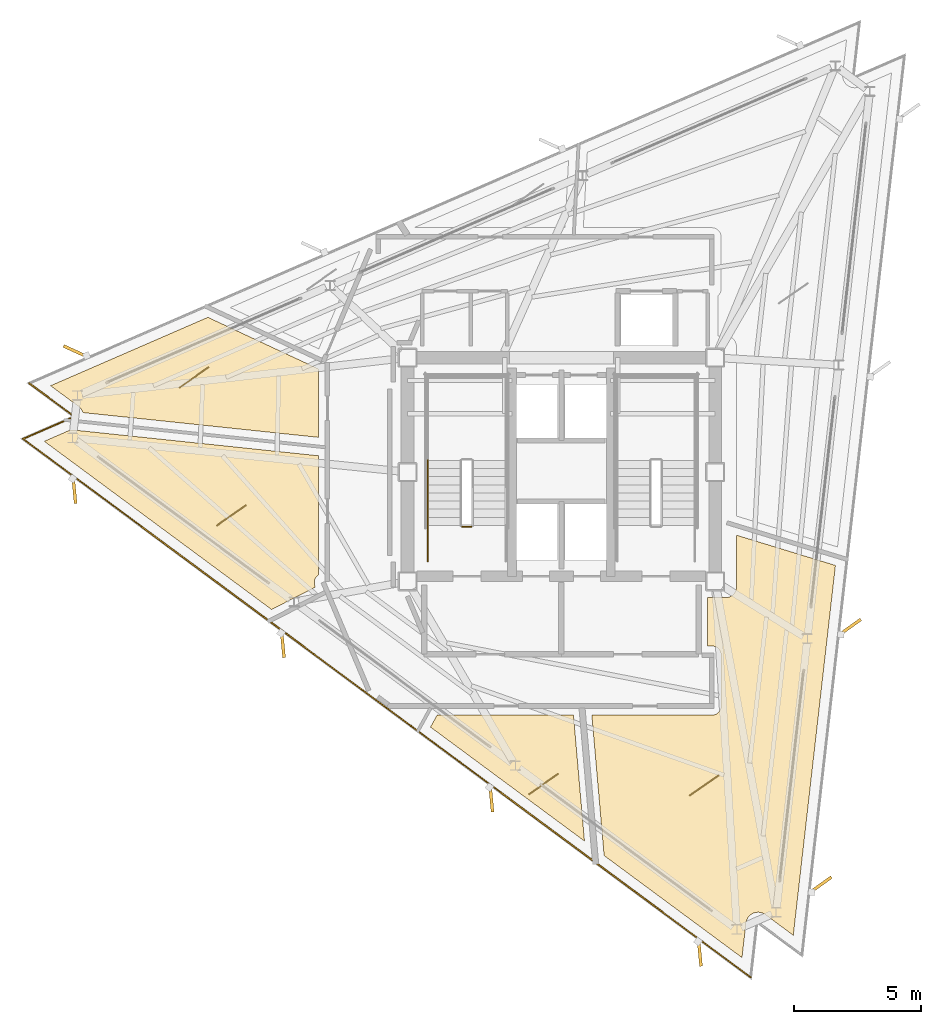
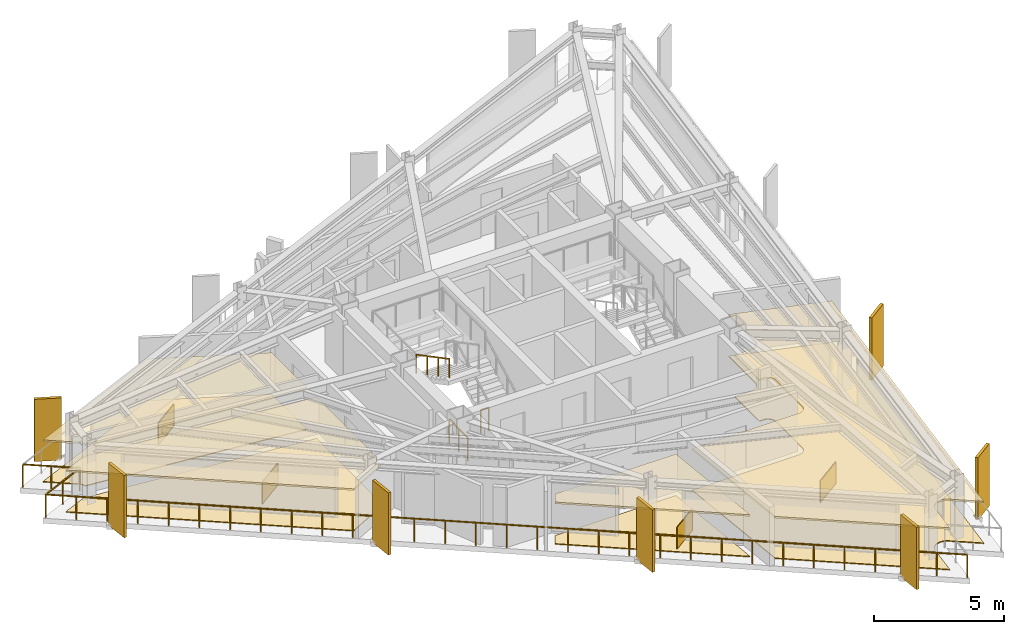
# One storey, part 8 of 10: 12 coverings, 7 shading devices, 4 railings.
"""IFC4 building model written with IfcOpenShell, lengths in metres."""

from ifc_helpers import new_model, si_unit, direction, frame, origin, origin_2d, place, context, subcontext, project, spatial, polyline, rectangle, outline, extrude, material, layer, layer_set, type_object, element, save


model = new_model("IFC4")

# Units and contexts
model_context = context("Model", 3, precision=1e-05, world=origin(), true_north=direction((0.0, 1.0)))
body_context = subcontext(model_context, "Body", "Model", "MODEL_VIEW")
ifc_project = project(units=[si_unit("LENGTHUNIT", "METRE"), si_unit("AREAUNIT", "SQUARE_METRE"), si_unit("VOLUMEUNIT", "CUBIC_METRE"), si_unit("PLANEANGLEUNIT", "RADIAN"), si_unit("MASSUNIT", "GRAM", prefix="KILO")], contexts=[model_context])

# Site, building, storey
site_placement = place(None, origin())
site = spatial("IfcSite", under=ifc_project, at=site_placement, CompositionType="ELEMENT")
building_placement = place(site_placement, origin())
building = spatial("IfcBuilding", under=site, at=building_placement, Name="Rocaltana Carrier Exchange", CompositionType="ELEMENT")
storey_placement = place(building_placement, frame((0.0, 0.0, 224.0)))
storey = spatial("IfcBuildingStorey", under=building, at=storey_placement, Name="L71", CompositionType="ELEMENT", Elevation=224.0)

# Coverings
ifc_material_1 = material(Name="Honed Bogota Sandstone Tile", Category="masonry")
ifc_layer_1 = layer(ifc_material_1, 0.0400390625)
ifc_layer_set_1 = layer_set([ifc_layer_1], Name="Honed Bogota Sandstone Tile")
covering_type_1 = type_object("IfcCoveringType", Name="Honed Stone Lobby Flooring 40", PredefinedType="FLOORING", material=ifc_layer_set_1)
covering_1_placement = place(storey_placement, origin())
element("IfcCovering", 1, at=covering_1_placement, inside=storey, type_object=covering_type_1, Name="L71 Client Reception Foyer Finish Floor", PredefinedType="FLOORING", context=body_context, shape_type="SweptSolid", body=[
    extrude(outline(polyline([(-19.29052734375, 1.66552734375), (-9.56005859375, 0.642822265625), (-9.56005859375, -4.052001953125), (-9.57177734375, -4.06005859375), (-9.578125, -4.064697265625), (-9.59912109375, -4.082275390625), (-9.60498046875, -4.087646484375), (-9.624267578125, -4.107177734375), (-9.629638671875, -4.113037109375), (-9.64697265625, -4.134521484375), (-9.651611328125, -4.140625), (-9.666748046875, -4.16357421875), (-9.670654296875, -4.17041015625), (-9.68359375, -4.194580078125), (-9.686767578125, -4.201904296875), (-9.697265625, -4.227294921875), (-9.69970703125, -4.234619140625), (-9.70751953125, -4.260986328125), (-9.70947265625, -4.2685546875), (-9.714599609375, -4.295654296875), (-9.7158203125, -4.30322265625), (-9.718505859375, -4.330810546875), (-9.71875, -4.33837890625), (-9.718505859375, -4.365966796875), (-9.71826171875, -4.373779296875), (-9.71533203125, -4.401123046875), (-9.714111328125, -4.408935546875), (-9.70849609375, -4.435791015625), (-9.706787109375, -4.443603515625), (-9.698486328125, -4.4697265625), (-9.69580078125, -4.47705078125), (-9.69091796875, -4.489990234375), (-9.67578125, -4.52587890625), (-11.3994140625, -5.404296875), (-20.337890625, 1.210205078125), (-19.29052734375, 1.66552734375)])), origin(), (0.0, 0.0, 1.0), 0.0400390625),
])
covering_2_placement = place(storey_placement, origin())
element("IfcCovering", 2, at=covering_2_placement, inside=storey, type_object=covering_type_1, Name="L71 Staff Break Pantry Finish Floor", PredefinedType="FLOORING", context=body_context, shape_type="SweptSolid", body=[
    extrude(outline(polyline([(0.47509765625, -9.56005859375), (0.908203125, -14.51123046875), (-5.14794921875, -10.02978515625), (-4.8876953125, -9.56005859375), (0.47509765625, -9.56005859375)])), origin(), (0.0, 0.0, 1.0), 0.0400390625),
])
covering_3_placement = place(storey_placement, origin())
element("IfcCovering", 3, at=covering_3_placement, inside=storey, type_object=covering_type_1, Name="L71 Client Reception Foyer Finish Floor", PredefinedType="FLOORING", context=body_context, shape_type="SweptSolid", body=[
    extrude(outline(polyline([(5.739990234375, -6.840087890625), (5.739990234375, -4.93994140625), (6.449951171875, -4.93994140625), (6.463623046875, -4.939697265625), (6.4794921875, -4.93896484375), (6.5068359375, -4.936279296875), (6.522216796875, -4.933837890625), (6.54931640625, -4.928466796875), (6.564453125, -4.9248046875), (6.5908203125, -4.916748046875), (6.605712890625, -4.91162109375), (6.630859375, -4.90087890625), (6.64501953125, -4.894287109375), (6.66943359375, -4.88134765625), (6.682861328125, -4.873291015625), (6.705810546875, -4.85791015625), (6.71826171875, -4.8486328125), (6.739501953125, -4.8310546875), (6.751220703125, -4.820556640625), (6.7705078125, -4.80126953125), (6.781005859375, -4.78955078125), (6.798583984375, -4.768310546875), (6.807861328125, -4.755615234375), (6.8232421875, -4.73291015625), (6.831298828125, -4.719482421875), (6.84423828125, -4.695068359375), (6.850830078125, -4.680908203125), (6.861572265625, -4.655517578125), (6.86669921875, -4.640869140625), (6.874755859375, -4.614501953125), (6.87841796875, -4.59912109375), (6.8837890625, -4.572265625), (6.88623046875, -4.556884765625), (6.888916015625, -4.529296875), (6.8896484375, -4.513671875), (6.889892578125, -4.5), (6.889892578125, -2.48291015625), (10.7783203125, -3.671630859375), (9.12109375, -18.21826171875), (8.020751953125, -17.404052734375), (8.009521484375, -17.39599609375), (7.992919921875, -17.385009765625), (7.96875, -17.370849609375), (7.951171875, -17.361572265625), (7.92578125, -17.349609375), (7.907470703125, -17.342041015625), (7.881103515625, -17.332763671875), (7.862060546875, -17.3271484375), (7.8349609375, -17.320556640625), (7.815185546875, -17.31689453125), (7.78759765625, -17.31298828125), (7.767822265625, -17.311279296875), (7.739990234375, -17.310302734375), (7.719970703125, -17.310302734375), (7.692138671875, -17.31201171875), (7.67236328125, -17.314208984375), (7.644775390625, -17.31884765625), (7.625244140625, -17.322998046875), (7.59814453125, -17.330078125), (7.579345703125, -17.336181640625), (7.552978515625, -17.34619140625), (7.534912109375, -17.35400390625), (7.509765625, -17.366455078125), (7.492431640625, -17.376220703125), (7.46875, -17.39111328125), (7.452392578125, -17.40234375), (7.430419921875, -17.41943359375), (7.415283203125, -17.4326171875), (7.39501953125, -17.45166015625), (7.381103515625, -17.466064453125), (7.363037109375, -17.4873046875), (7.3505859375, -17.5029296875), (7.334716796875, -17.52587890625), (7.32421875, -17.542724609375), (7.310302734375, -17.56689453125), (7.301513671875, -17.5849609375), (7.290283203125, -17.6103515625), (7.283203125, -17.629150390625), (7.274658203125, -17.655517578125), (7.26953125, -17.6748046875), (7.263671875, -17.7021484375), (7.26025390625, -17.7216796875), (7.25830078125, -17.735595703125), (7.103515625, -19.095458984375), (1.680908203125, -15.0830078125), (1.19775390625, -9.56005859375), (5.919921875, -9.56005859375), (5.93359375, -9.559814453125), (5.941650390625, -9.559326171875), (5.968994140625, -9.556640625), (5.976806640625, -9.555419921875), (6.003662109375, -9.550048828125), (6.01123046875, -9.548095703125), (6.03759765625, -9.540283203125), (6.044921875, -9.53759765625), (6.0703125, -9.527099609375), (6.077392578125, -9.523681640625), (6.101806640625, -9.5107421875), (6.1083984375, -9.506591796875), (6.131103515625, -9.491455078125), (6.137451171875, -9.48681640625), (6.15869140625, -9.46923828125), (6.16455078125, -9.464111328125), (6.18408203125, -9.444580078125), (6.189208984375, -9.438720703125), (6.206787109375, -9.41748046875), (6.21142578125, -9.4111328125), (6.226806640625, -9.388427734375), (6.230712890625, -9.381591796875), (6.24365234375, -9.357421875), (6.2470703125, -9.350341796875), (6.257568359375, -9.324951171875), (6.26025390625, -9.317626953125), (6.268310546875, -9.291259765625), (6.27001953125, -9.28369140625), (6.275390625, -9.256591796875), (6.276611328125, -9.248779296875), (6.279296875, -9.2216796875), (6.27978515625, -9.213623046875), (6.280029296875, -9.199951171875), (6.280029296875, -7.199951171875), (6.27978515625, -7.186279296875), (6.279296875, -7.178466796875), (6.276611328125, -7.151123046875), (6.275390625, -7.143310546875), (6.27001953125, -7.116455078125), (6.268310546875, -7.108642578125), (6.26025390625, -7.08251953125), (6.257568359375, -7.0751953125), (6.2470703125, -7.0498046875), (6.24365234375, -7.04248046875), (6.230712890625, -7.018310546875), (6.226806640625, -7.01171875), (6.21142578125, -6.98876953125), (6.206787109375, -6.982421875), (6.189208984375, -6.961181640625), (6.18408203125, -6.955322265625), (6.16455078125, -6.93603515625), (6.15869140625, -6.9306640625), (6.137451171875, -6.913330078125), (6.131103515625, -6.90869140625), (6.1083984375, -6.893310546875), (6.101806640625, -6.889404296875), (6.077392578125, -6.876220703125), (6.0703125, -6.873046875), (6.044921875, -6.862548828125), (6.03759765625, -6.85986328125), (6.01123046875, -6.851806640625), (6.003662109375, -6.849853515625), (5.976806640625, -6.844482421875), (5.968994140625, -6.843505859375), (5.941650390625, -6.8408203125), (5.93359375, -6.84033203125), (5.919921875, -6.840087890625), (5.739990234375, -6.840087890625)])), origin(), (0.0, 0.0, 1.0), 0.0400390625),
])
covering_4_placement = place(storey_placement, origin())
element("IfcCovering", 4, at=covering_4_placement, inside=storey, type_object=covering_type_1, Name="L71 Client Reception Foyer Finish Floor", PredefinedType="FLOORING", context=body_context, shape_type="SweptSolid", body=[
    extrude(outline(polyline([(-18.81640625, 2.339599609375), (-18.81689453125, 2.3408203125), (-18.825927734375, 2.366943359375), (-18.83349609375, 2.385498046875), (-18.84521484375, 2.410888671875), (-18.8544921875, 2.428466796875), (-18.86865234375, 2.452392578125), (-18.879638671875, 2.468994140625), (-18.896240234375, 2.49169921875), (-18.908935546875, 2.507080078125), (-18.927490234375, 2.52783203125), (-18.941650390625, 2.5419921875), (-18.96240234375, 2.560546875), (-18.977783203125, 2.5732421875), (-18.98876953125, 2.581787109375), (-20.089111328125, 3.39599609375), (-13.90283203125, 6.085693359375), (-9.58984375, 4.07470703125), (-9.578125, 4.064697265625), (-9.57177734375, 4.06005859375), (-9.56005859375, 4.052001953125), (-9.56005859375, 1.36669921875), (-18.81640625, 2.339599609375)])), origin(), (0.0, 0.0, 1.0), 0.0400390625),
])
ifc_material_2 = material(Name="Anodised Aluminium 6063-T6", Category="aluminium")
ifc_layer_2 = layer(ifc_material_2, 0.0849609375)
ifc_layer_set_2 = layer_set([ifc_layer_2], Name="Anodised Aluminium 6063-T6")
covering_type_2 = type_object("IfcCoveringType", Name="Linear Baffle Acoustic Ceiling 85", PredefinedType="CEILING", material=ifc_layer_set_2)
covering_5_placement = place(storey_placement, frame((0.0, 0.0, 1.903076171875)))
element("IfcCovering", 5, at=covering_5_placement, inside=storey, type_object=covering_type_2, Name="L71 Client Reception Foyer Acoustic Ceiling", PredefinedType="CEILING", context=body_context, shape_type="SweptSolid", body=[
    extrude(outline(polyline([(-19.29052734375, 1.66552734375), (-9.56005859375, 0.642822265625), (-9.56005859375, -4.052001953125), (-9.57177734375, -4.06005859375), (-9.578125, -4.064697265625), (-9.59912109375, -4.082275390625), (-9.60498046875, -4.087646484375), (-9.624267578125, -4.107177734375), (-9.629638671875, -4.113037109375), (-9.64697265625, -4.134521484375), (-9.651611328125, -4.140625), (-9.666748046875, -4.16357421875), (-9.670654296875, -4.17041015625), (-9.68359375, -4.194580078125), (-9.686767578125, -4.201904296875), (-9.697265625, -4.227294921875), (-9.69970703125, -4.234619140625), (-9.70751953125, -4.260986328125), (-9.70947265625, -4.2685546875), (-9.714599609375, -4.295654296875), (-9.7158203125, -4.30322265625), (-9.718505859375, -4.330810546875), (-9.71875, -4.33837890625), (-9.718505859375, -4.365966796875), (-9.71826171875, -4.373779296875), (-9.71533203125, -4.401123046875), (-9.714111328125, -4.408935546875), (-9.70849609375, -4.435791015625), (-9.706787109375, -4.443603515625), (-9.698486328125, -4.4697265625), (-9.69580078125, -4.47705078125), (-9.69091796875, -4.489990234375), (-9.67578125, -4.52587890625), (-11.3994140625, -5.404296875), (-20.337890625, 1.210205078125), (-19.29052734375, 1.66552734375)])), origin(), (0.0, 0.0, 1.0), 0.0849609375),
])
covering_6_placement = place(storey_placement, frame((0.0, 0.0, 1.903076171875)))
element("IfcCovering", 6, at=covering_6_placement, inside=storey, type_object=covering_type_2, Name="L71 Staff Break Pantry Acoustic Ceiling", PredefinedType="CEILING", context=body_context, shape_type="SweptSolid", body=[
    extrude(outline(polyline([(0.47509765625, -9.56005859375), (0.908203125, -14.51123046875), (-5.14794921875, -10.02978515625), (-4.8876953125, -9.56005859375), (0.47509765625, -9.56005859375)])), origin(), (0.0, 0.0, 1.0), 0.0849609375),
])
covering_7_placement = place(storey_placement, frame((0.0, 0.0, 1.903076171875)))
element("IfcCovering", 7, at=covering_7_placement, inside=storey, type_object=covering_type_2, Name="L71 Client Reception Foyer Acoustic Ceiling", PredefinedType="CEILING", context=body_context, shape_type="SweptSolid", body=[
    extrude(outline(polyline([(5.739990234375, -6.840087890625), (5.739990234375, -4.93994140625), (6.449951171875, -4.93994140625), (6.463623046875, -4.939697265625), (6.4794921875, -4.93896484375), (6.5068359375, -4.936279296875), (6.522216796875, -4.933837890625), (6.54931640625, -4.928466796875), (6.564453125, -4.9248046875), (6.5908203125, -4.916748046875), (6.605712890625, -4.91162109375), (6.630859375, -4.90087890625), (6.64501953125, -4.894287109375), (6.66943359375, -4.88134765625), (6.682861328125, -4.873291015625), (6.705810546875, -4.85791015625), (6.71826171875, -4.8486328125), (6.739501953125, -4.8310546875), (6.751220703125, -4.820556640625), (6.7705078125, -4.80126953125), (6.781005859375, -4.78955078125), (6.798583984375, -4.768310546875), (6.807861328125, -4.755615234375), (6.8232421875, -4.73291015625), (6.831298828125, -4.719482421875), (6.84423828125, -4.695068359375), (6.850830078125, -4.680908203125), (6.861572265625, -4.655517578125), (6.86669921875, -4.640869140625), (6.874755859375, -4.614501953125), (6.87841796875, -4.59912109375), (6.8837890625, -4.572265625), (6.88623046875, -4.556884765625), (6.888916015625, -4.529296875), (6.8896484375, -4.513671875), (6.889892578125, -4.5), (6.889892578125, -2.48291015625), (10.7783203125, -3.671630859375), (9.12109375, -18.21826171875), (8.020751953125, -17.404052734375), (8.009521484375, -17.39599609375), (7.992919921875, -17.385009765625), (7.96875, -17.370849609375), (7.951171875, -17.361572265625), (7.92578125, -17.349609375), (7.907470703125, -17.342041015625), (7.881103515625, -17.332763671875), (7.862060546875, -17.3271484375), (7.8349609375, -17.320556640625), (7.815185546875, -17.31689453125), (7.78759765625, -17.31298828125), (7.767822265625, -17.311279296875), (7.739990234375, -17.310302734375), (7.719970703125, -17.310302734375), (7.692138671875, -17.31201171875), (7.67236328125, -17.314208984375), (7.644775390625, -17.31884765625), (7.625244140625, -17.322998046875), (7.59814453125, -17.330078125), (7.579345703125, -17.336181640625), (7.552978515625, -17.34619140625), (7.534912109375, -17.35400390625), (7.509765625, -17.366455078125), (7.492431640625, -17.376220703125), (7.46875, -17.39111328125), (7.452392578125, -17.40234375), (7.430419921875, -17.41943359375), (7.415283203125, -17.4326171875), (7.39501953125, -17.45166015625), (7.381103515625, -17.466064453125), (7.363037109375, -17.4873046875), (7.3505859375, -17.5029296875), (7.334716796875, -17.52587890625), (7.32421875, -17.542724609375), (7.310302734375, -17.56689453125), (7.301513671875, -17.5849609375), (7.290283203125, -17.6103515625), (7.283203125, -17.629150390625), (7.274658203125, -17.655517578125), (7.26953125, -17.6748046875), (7.263671875, -17.7021484375), (7.26025390625, -17.7216796875), (7.25830078125, -17.735595703125), (7.103515625, -19.095458984375), (1.680908203125, -15.0830078125), (1.19775390625, -9.56005859375), (5.919921875, -9.56005859375), (5.93359375, -9.559814453125), (5.941650390625, -9.559326171875), (5.968994140625, -9.556640625), (5.976806640625, -9.555419921875), (6.003662109375, -9.550048828125), (6.01123046875, -9.548095703125), (6.03759765625, -9.540283203125), (6.044921875, -9.53759765625), (6.0703125, -9.527099609375), (6.077392578125, -9.523681640625), (6.101806640625, -9.5107421875), (6.1083984375, -9.506591796875), (6.131103515625, -9.491455078125), (6.137451171875, -9.48681640625), (6.15869140625, -9.46923828125), (6.16455078125, -9.464111328125), (6.18408203125, -9.444580078125), (6.189208984375, -9.438720703125), (6.206787109375, -9.41748046875), (6.21142578125, -9.4111328125), (6.226806640625, -9.388427734375), (6.230712890625, -9.381591796875), (6.24365234375, -9.357421875), (6.2470703125, -9.350341796875), (6.257568359375, -9.324951171875), (6.26025390625, -9.317626953125), (6.268310546875, -9.291259765625), (6.27001953125, -9.28369140625), (6.275390625, -9.256591796875), (6.276611328125, -9.248779296875), (6.279296875, -9.2216796875), (6.27978515625, -9.213623046875), (6.280029296875, -9.199951171875), (6.280029296875, -7.199951171875), (6.27978515625, -7.186279296875), (6.279296875, -7.178466796875), (6.276611328125, -7.151123046875), (6.275390625, -7.143310546875), (6.27001953125, -7.116455078125), (6.268310546875, -7.108642578125), (6.26025390625, -7.08251953125), (6.257568359375, -7.0751953125), (6.2470703125, -7.0498046875), (6.24365234375, -7.04248046875), (6.230712890625, -7.018310546875), (6.226806640625, -7.01171875), (6.21142578125, -6.98876953125), (6.206787109375, -6.982421875), (6.189208984375, -6.961181640625), (6.18408203125, -6.955322265625), (6.16455078125, -6.93603515625), (6.15869140625, -6.9306640625), (6.137451171875, -6.913330078125), (6.131103515625, -6.90869140625), (6.1083984375, -6.893310546875), (6.101806640625, -6.889404296875), (6.077392578125, -6.876220703125), (6.0703125, -6.873046875), (6.044921875, -6.862548828125), (6.03759765625, -6.85986328125), (6.01123046875, -6.851806640625), (6.003662109375, -6.849853515625), (5.976806640625, -6.844482421875), (5.968994140625, -6.843505859375), (5.941650390625, -6.8408203125), (5.93359375, -6.84033203125), (5.919921875, -6.840087890625), (5.739990234375, -6.840087890625)])), origin(), (0.0, 0.0, 1.0), 0.0849609375),
])
covering_8_placement = place(storey_placement, frame((0.0, 0.0, 1.903076171875)))
element("IfcCovering", 8, at=covering_8_placement, inside=storey, type_object=covering_type_2, Name="L71 Client Reception Foyer Acoustic Ceiling", PredefinedType="CEILING", context=body_context, shape_type="SweptSolid", body=[
    extrude(outline(polyline([(-18.81640625, 2.339599609375), (-18.81689453125, 2.3408203125), (-18.825927734375, 2.366943359375), (-18.83349609375, 2.385498046875), (-18.84521484375, 2.410888671875), (-18.8544921875, 2.428466796875), (-18.86865234375, 2.452392578125), (-18.879638671875, 2.468994140625), (-18.896240234375, 2.49169921875), (-18.908935546875, 2.507080078125), (-18.927490234375, 2.52783203125), (-18.941650390625, 2.5419921875), (-18.96240234375, 2.560546875), (-18.977783203125, 2.5732421875), (-18.98876953125, 2.581787109375), (-20.089111328125, 3.39599609375), (-13.90283203125, 6.085693359375), (-9.58984375, 4.07470703125), (-9.578125, 4.064697265625), (-9.57177734375, 4.06005859375), (-9.56005859375, 4.052001953125), (-9.56005859375, 1.36669921875), (-18.81640625, 2.339599609375)])), origin(), (0.0, 0.0, 1.0), 0.0849609375),
])

# Railings
ifc_material_3 = material(Name="Brushed Architectural Stainless Tube", Category="steel")
ifc_layer_3 = layer(ifc_material_3, 0.048095703125)
ifc_layer_set_3 = layer_set([ifc_layer_3], Name="Brushed Architectural Stainless Tube")
railing_type_1 = type_object("IfcRailingType", Name="Stair Wall Handrail 920", PredefinedType="HANDRAIL", material=ifc_layer_set_3)
railing_1_placement = place(storey_placement, frame((-5.25, 0.4599609375, 1.68896484375)))
element("IfcRailing", 9, at=railing_1_placement, inside=storey, type_object=railing_type_1, Name="L71 ST-1 stair handrail 2", PredefinedType="HANDRAIL", context=body_context, shape_type="SweptSolid", body=[
    extrude(rectangle(XDim=0.048095703125, YDim=0.048095703125, at=origin_2d()), frame((0.0, 0.0, 0.8759765625), z_axis=(0.0, -0.884394423565, 0.466740295633), x_axis=(1.0, 0.0, 0.0)), (0.0, 0.0, 1.0), 2.894775390625),
    extrude(rectangle(XDim=0.0419921875, YDim=0.0419921875, at=origin_2d()), origin(), (0.0, 0.0, 1.0), 0.851806640625),
    extrude(rectangle(XDim=0.0419921875, YDim=0.0419921875, at=origin_2d()), frame((0.0, -0.853271484375, 0.450439453125)), (0.0, 0.0, 1.0), 0.851806640625),
    extrude(rectangle(XDim=0.0419921875, YDim=0.0419921875, at=origin_2d()), frame((0.0, -1.706787109375, 0.900634765625)), (0.0, 0.0, 1.0), 0.851806640625),
    extrude(rectangle(XDim=0.0419921875, YDim=0.0419921875, at=origin_2d()), frame((0.0, -2.56005859375, 1.35107421875)), (0.0, 0.0, 1.0), 0.851806640625),
])
ifc_material_4 = material(Name="Powder-Coated Aluminium 6063-T6", Category="aluminium")
ifc_layer_4 = layer(ifc_material_4, 0.048095703125)
ifc_layer_set_4 = layer_set([ifc_layer_4], Name="Powder-Coated Aluminium 6063-T6")
railing_type_2 = type_object("IfcRailingType", Name="Stair Well Guardrail 1100", PredefinedType="GUARDRAIL", material=ifc_layer_set_4)
railing_2_placement = place(storey_placement, frame((-3.5400390625, -2.14990234375, 0.0)))
element("IfcRailing", 10, at=railing_2_placement, inside=storey, type_object=railing_type_2, Name="L71 ST-1 stair guard 7", PredefinedType="GUARDRAIL", context=body_context, shape_type="SweptSolid", body=[
    extrude(rectangle(XDim=0.048095703125, YDim=0.048095703125, at=origin_2d()), frame((0.0, 0.0, 1.076171875), z_axis=(-1.0, 0.0, 0.0), x_axis=(0.0, -1.0, 0.0)), (0.0, 0.0, 1.0), 0.35986328125),
    extrude(rectangle(XDim=0.0419921875, YDim=0.0419921875, at=origin_2d()), origin(), (0.0, 0.0, 1.0), 1.052001953125),
    extrude(rectangle(XDim=0.0419921875, YDim=0.0419921875, at=origin_2d()), frame((-0.35986328125, 0.0, 0.0)), (0.0, 0.0, 1.0), 1.052001953125),
])
railing_3_placement = place(storey_placement, frame((-5.25, -3.5, 0.0)))
element("IfcRailing", 11, at=railing_3_placement, inside=storey, type_object=railing_type_2, Name="L71 ST-1 stair guard 9", PredefinedType="GUARDRAIL", context=body_context, shape_type="SweptSolid", body=[
    extrude(rectangle(XDim=0.048095703125, YDim=0.048095703125, at=origin_2d()), frame((0.0, 0.0, 1.076171875), z_axis=(0.0, 1.0, 0.0), x_axis=(-1.0, 0.0, 0.0)), (0.0, 0.0, 1.0), 1.39990234375),
    extrude(rectangle(XDim=0.0419921875, YDim=0.0419921875, at=origin_2d()), origin(), (0.0, 0.0, 1.0), 1.052001953125),
    extrude(rectangle(XDim=0.0419921875, YDim=0.0419921875, at=origin_2d()), frame((0.0, 0.699951171875, 0.0)), (0.0, 0.0, 1.0), 1.052001953125),
    extrude(rectangle(XDim=0.0419921875, YDim=0.0419921875, at=origin_2d()), frame((0.0, 1.39990234375, 0.0)), (0.0, 0.0, 1.0), 1.052001953125),
])

# Coverings
ifc_material_5 = material(Name="Honed Piedra Muneca Sandstone", Category="masonry")
ifc_layer_5 = layer(ifc_material_5, 0.034912109375)
ifc_layer_set_5 = layer_set([ifc_layer_5], Name="Honed Piedra Muneca Sandstone")
covering_type_3 = type_object("IfcCoveringType", Name="Stone Facade Cladding 35", PredefinedType="CLADDING", material=ifc_layer_set_5)
for number, where, z_axis, x_axis, name in (
    (12, (-12.9794921875, -1.70458984375, 0.0), (0.0, 0.0, 1.0), (0.819152044289, 0.573576436351, 0.0), "L71 Stone Facade Cladding Panel 1"),
    (13, (-0.703857421875, -12.2705078125, 0.0), (0.0, 0.0, 1.0), (0.819152044289, 0.573576436351, 0.0), "L71 Stone Facade Cladding Panel 2"),
    (14, (5.6162109375, -12.321533203125, 0.0), (0.0, 0.0, 1.0), (0.819152044289, 0.573576436351, 0.0), "L71 Stone Facade Cladding Panel 3"),
    (15, (-14.447265625, 3.72412109375, 0.0), (0.0, 0.0, 1.0), (0.819152044289, 0.573576436351, 0.0), "L71 Stone Facade Cladding Panel 7"),
):
    element("IfcCovering", number, at=place(storey_placement, frame(where, z_axis=z_axis, x_axis=x_axis)), inside=storey, type_object=covering_type_3, Name=name, PredefinedType="CLADDING", context=body_context, shape_type="SweptSolid", body=[
        extrude(rectangle(XDim=1.39990234375, YDim=0.034912109375, at=origin_2d()), origin(), (0.0, 0.0, 1.0), 1.050048828125),
    ])

# Shading devices
ifc_material_6 = material(Name="Honed Bogota Sandstone & Concrete C45/55", Category="masonry")
ifc_layer_6 = layer(ifc_material_6, 0.1201171875)
ifc_layer_set_6 = layer_set([ifc_layer_6], Name="Honed Bogota Sandstone & Concrete C45/55")
shading_device_type = type_object("IfcShadingDeviceType", Name="Upper Sandstone Shading Fin 1050x120", PredefinedType="USERDEFINED", material=ifc_layer_set_6)
for number, where, z_axis, x_axis, name in (
    (16, (10.193115234375, -16.233642578125, -0.119873046875), (0.0, 0.0, 1.0), (0.814115518356, 0.580702955711, 0.0), "L71 Sandstone Vertical Fin F1-01"),
    (17, (11.34765625, -6.099365234375, -0.119873046875), (0.0, 0.0, 1.0), (0.814115518356, 0.580702955711, 0.0), "L71 Sandstone Vertical Fin F1-02"),
    (18, (-19.099609375, 4.742431640625, -0.119873046875), (0.0, 0.0, 1.0), (-0.909961270877, 0.414693242656, 0.0), "L71 Sandstone Vertical Fin F2-04"),
    (19, (-19.1552734375, -0.71044921875, -0.119873046875), (0.0, 0.0, 1.0), (0.09584575252, -0.995396198367, 0.0), "L71 Sandstone Vertical Fin F3-01"),
    (20, (-10.955810546875, -6.777587890625, -0.119873046875), (0.0, 0.0, 1.0), (0.09584575252, -0.995396198367, 0.0), "L71 Sandstone Vertical Fin F3-02"),
    (21, (-2.756591796875, -12.844970703125, -0.119873046875), (0.0, 0.0, 1.0), (0.09584575252, -0.995396198367, 0.0), "L71 Sandstone Vertical Fin F3-03"),
    (22, (5.442626953125, -18.912109375, -0.119873046875), (0.0, 0.0, 1.0), (0.09584575252, -0.995396198367, 0.0), "L71 Sandstone Vertical Fin F3-04"),
):
    element("IfcShadingDevice", number, at=place(storey_placement, frame(where, z_axis=z_axis, x_axis=x_axis)), inside=storey, type_object=shading_device_type, Name=name, ObjectType="FIN", PredefinedType="USERDEFINED", context=body_context, shape_type="SweptSolid", body=[
        extrude(rectangle(XDim=1.050048828125, YDim=0.1201171875, at=origin_2d()), origin(), (0.0, 0.0, 1.0), 2.91796875),
    ])

# Railing
ifc_material_7 = material(Name="Powder-Coated Aluminium 6063-T6", Category="aluminium")
ifc_layer_7 = layer(ifc_material_7, 0.06005859375)
ifc_layer_set_7 = layer_set([ifc_layer_7], Name="Powder-Coated Aluminium 6063-T6")
railing_type_3 = type_object("IfcRailingType", Name="Wind-Floor & Terrace Perimeter Guardrail 1100", PredefinedType="GUARDRAIL", material=ifc_layer_set_7)
railing_4_placement = place(storey_placement, frame((7.4384765625, -19.865966796875, 0.0)))
element("IfcRailing", 23, at=railing_4_placement, inside=storey, type_object=railing_type_3, Name="L71 Perimeter Balcony Guardrail 1", PredefinedType="GUARDRAIL", context=body_context, shape_type="SweptSolid", body=[
    extrude(rectangle(XDim=0.048095703125, YDim=0.048095703125, at=origin_2d()), frame((0.0, 0.0, 1.076171875), z_axis=(-0.803856133623, 0.594823769226, 0.0), x_axis=(-0.594823769226, -0.803856133623, 0.0)), (0.0, 0.0, 1.0), 35.59228515625),
    extrude(rectangle(XDim=0.048095703125, YDim=0.048095703125, at=origin_2d()), frame((-28.611083984375, 21.171142578125, 1.076171875), z_axis=(0.917071820503, 0.398722053614, 0.0), x_axis=(-0.398722053614, 0.917071820503, 0.0)), (0.0, 0.0, 1.0), 2.199951171875),
    extrude(rectangle(XDim=0.048095703125, YDim=0.048095703125, at=origin_2d()), frame((-26.593505859375, 22.04833984375, 1.076171875), z_axis=(-0.803871612758, 0.59480284986, 0.0), x_axis=(-0.59480284986, -0.803871612758, 0.0)), (0.0, 0.0, 1.0), 2.199951171875),
    extrude(rectangle(XDim=0.0419921875, YDim=0.0419921875, at=origin_2d()), origin(), (0.0, 0.0, 1.0), 1.052001953125),
    extrude(rectangle(XDim=0.0419921875, YDim=0.0419921875, at=origin_2d()), frame((-0.95361328125, 0.705810546875, 0.0)), (0.0, 0.0, 1.0), 1.052001953125),
    extrude(rectangle(XDim=0.0419921875, YDim=0.0419921875, at=origin_2d()), frame((-1.907470703125, 1.411376953125, 0.0)), (0.0, 0.0, 1.0), 1.052001953125),
    extrude(rectangle(XDim=0.0419921875, YDim=0.0419921875, at=origin_2d()), frame((-2.861083984375, 2.1171875, 0.0)), (0.0, 0.0, 1.0), 1.052001953125),
    extrude(rectangle(XDim=0.0419921875, YDim=0.0419921875, at=origin_2d()), frame((-3.814697265625, 2.82275390625, 0.0)), (0.0, 0.0, 1.0), 1.052001953125),
    extrude(rectangle(XDim=0.0419921875, YDim=0.0419921875, at=origin_2d()), frame((-4.7685546875, 3.528564453125, 0.0)), (0.0, 0.0, 1.0), 1.052001953125),
    extrude(rectangle(XDim=0.0419921875, YDim=0.0419921875, at=origin_2d()), frame((-5.72216796875, 4.234130859375, 0.0)), (0.0, 0.0, 1.0), 1.052001953125),
    extrude(rectangle(XDim=0.0419921875, YDim=0.0419921875, at=origin_2d()), frame((-6.676025390625, 4.93994140625, 0.0)), (0.0, 0.0, 1.0), 1.052001953125),
    extrude(rectangle(XDim=0.0419921875, YDim=0.0419921875, at=origin_2d()), frame((-7.629638671875, 5.645751953125, 0.0)), (0.0, 0.0, 1.0), 1.052001953125),
    extrude(rectangle(XDim=0.0419921875, YDim=0.0419921875, at=origin_2d()), frame((-8.583251953125, 6.351318359375, 0.0)), (0.0, 0.0, 1.0), 1.052001953125),
    extrude(rectangle(XDim=0.0419921875, YDim=0.0419921875, at=origin_2d()), frame((-9.537109375, 7.05712890625, 0.0)), (0.0, 0.0, 1.0), 1.052001953125),
    extrude(rectangle(XDim=0.0419921875, YDim=0.0419921875, at=origin_2d()), frame((-10.49072265625, 7.7626953125, 0.0)), (0.0, 0.0, 1.0), 1.052001953125),
    extrude(rectangle(XDim=0.0419921875, YDim=0.0419921875, at=origin_2d()), frame((-11.4443359375, 8.468505859375, 0.0)), (0.0, 0.0, 1.0), 1.052001953125),
    extrude(rectangle(XDim=0.0419921875, YDim=0.0419921875, at=origin_2d()), frame((-12.398193359375, 9.174072265625, 0.0)), (0.0, 0.0, 1.0), 1.052001953125),
    extrude(rectangle(XDim=0.0419921875, YDim=0.0419921875, at=origin_2d()), frame((-13.351806640625, 9.8798828125, 0.0)), (0.0, 0.0, 1.0), 1.052001953125),
    extrude(rectangle(XDim=0.0419921875, YDim=0.0419921875, at=origin_2d()), frame((-14.3056640625, 10.58544921875, 0.0)), (0.0, 0.0, 1.0), 1.052001953125),
    extrude(rectangle(XDim=0.0419921875, YDim=0.0419921875, at=origin_2d()), frame((-15.25927734375, 11.291259765625, 0.0)), (0.0, 0.0, 1.0), 1.052001953125),
    extrude(rectangle(XDim=0.0419921875, YDim=0.0419921875, at=origin_2d()), frame((-16.212890625, 11.9970703125, 0.0)), (0.0, 0.0, 1.0), 1.052001953125),
    extrude(rectangle(XDim=0.0419921875, YDim=0.0419921875, at=origin_2d()), frame((-17.166748046875, 12.70263671875, 0.0)), (0.0, 0.0, 1.0), 1.052001953125),
    extrude(rectangle(XDim=0.0419921875, YDim=0.0419921875, at=origin_2d()), frame((-18.120361328125, 13.408447265625, 0.0)), (0.0, 0.0, 1.0), 1.052001953125),
    extrude(rectangle(XDim=0.0419921875, YDim=0.0419921875, at=origin_2d()), frame((-19.073974609375, 14.114013671875, 0.0)), (0.0, 0.0, 1.0), 1.052001953125),
    extrude(rectangle(XDim=0.0419921875, YDim=0.0419921875, at=origin_2d()), frame((-20.02783203125, 14.81982421875, 0.0)), (0.0, 0.0, 1.0), 1.052001953125),
    extrude(rectangle(XDim=0.0419921875, YDim=0.0419921875, at=origin_2d()), frame((-20.9814453125, 15.525390625, 0.0)), (0.0, 0.0, 1.0), 1.052001953125),
    extrude(rectangle(XDim=0.0419921875, YDim=0.0419921875, at=origin_2d()), frame((-21.93505859375, 16.231201171875, 0.0)), (0.0, 0.0, 1.0), 1.052001953125),
    extrude(rectangle(XDim=0.0419921875, YDim=0.0419921875, at=origin_2d()), frame((-22.888916015625, 16.93701171875, 0.0)), (0.0, 0.0, 1.0), 1.052001953125),
    extrude(rectangle(XDim=0.0419921875, YDim=0.0419921875, at=origin_2d()), frame((-23.842529296875, 17.642578125, 0.0)), (0.0, 0.0, 1.0), 1.052001953125),
    extrude(rectangle(XDim=0.0419921875, YDim=0.0419921875, at=origin_2d()), frame((-24.79638671875, 18.348388671875, 0.0)), (0.0, 0.0, 1.0), 1.052001953125),
    extrude(rectangle(XDim=0.0419921875, YDim=0.0419921875, at=origin_2d()), frame((-25.75, 19.053955078125, 0.0)), (0.0, 0.0, 1.0), 1.052001953125),
    extrude(rectangle(XDim=0.0419921875, YDim=0.0419921875, at=origin_2d()), frame((-26.70361328125, 19.759765625, 0.0)), (0.0, 0.0, 1.0), 1.052001953125),
    extrude(rectangle(XDim=0.0419921875, YDim=0.0419921875, at=origin_2d()), frame((-27.657470703125, 20.46533203125, 0.0)), (0.0, 0.0, 1.0), 1.052001953125),
    extrude(rectangle(XDim=0.0419921875, YDim=0.0419921875, at=origin_2d()), frame((-28.611083984375, 21.171142578125, 0.0)), (0.0, 0.0, 1.0), 1.052001953125),
    extrude(rectangle(XDim=0.0419921875, YDim=0.0419921875, at=origin_2d()), frame((-27.602294921875, 21.60986328125, 0.0)), (0.0, 0.0, 1.0), 1.052001953125),
    extrude(rectangle(XDim=0.0419921875, YDim=0.0419921875, at=origin_2d()), frame((-26.593505859375, 22.04833984375, 0.0)), (0.0, 0.0, 1.0), 1.052001953125),
    extrude(rectangle(XDim=0.0419921875, YDim=0.0419921875, at=origin_2d()), frame((-27.477783203125, 22.70263671875, 0.0)), (0.0, 0.0, 1.0), 1.052001953125),
    extrude(rectangle(XDim=0.0419921875, YDim=0.0419921875, at=origin_2d()), frame((-28.362060546875, 23.35693359375, 0.0)), (0.0, 0.0, 1.0), 1.052001953125),
])

save(model, "model.ifc")
